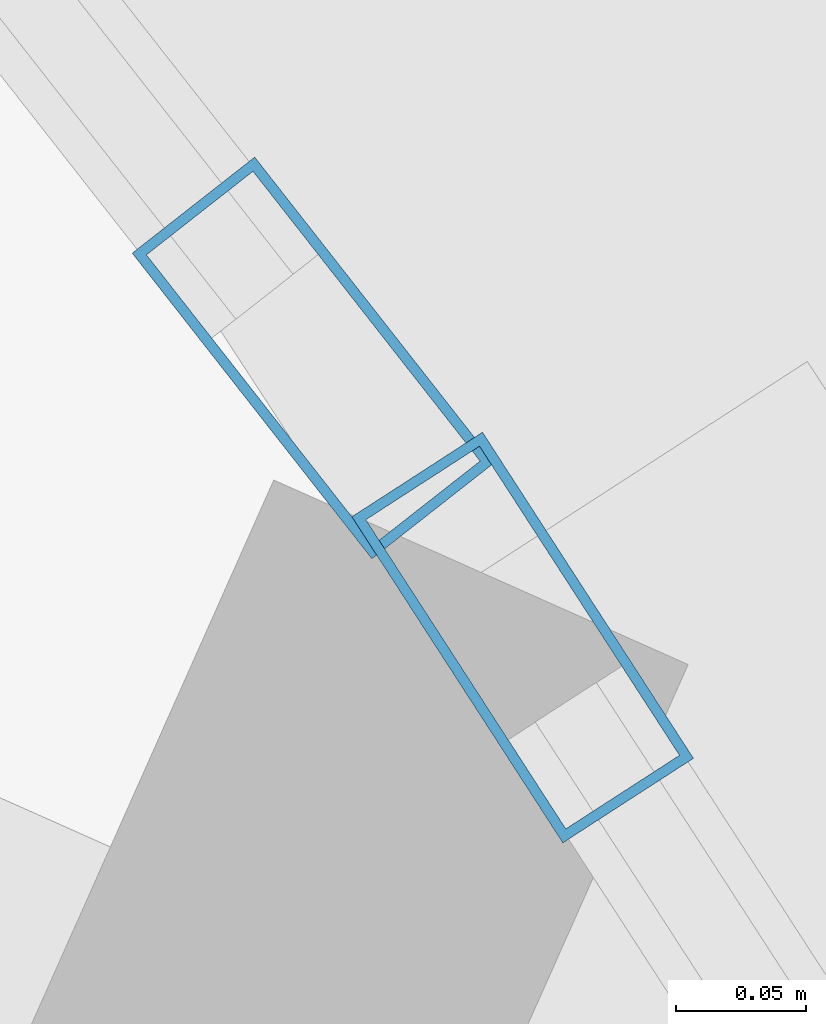
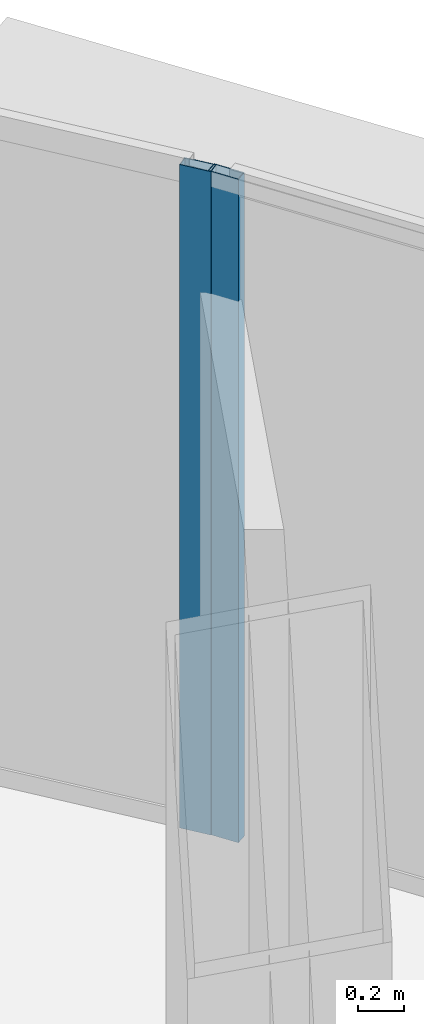
# One storey, part 22 of 40: 2 members, 2 elements without a shape of their own.
"""IFC4 building model written with IfcOpenShell, lengths in metres."""

from ifc_helpers import new_model, si_unit, direction, frame, origin, origin_2d, place, context, subcontext, project, spatial, hollow_rectangle, extrude, source, transform, mapped, material, layer, layer_set, material_profile, profile_set, type_object, element, aggregate, save


model = new_model("IFC4")

# Units and contexts
model_context = context("Model", 3, precision=1e-05, world=origin(), true_north=direction((0.0, 1.0)))
body_context = subcontext(model_context, "Body", "Model", "MODEL_VIEW")
ifc_project = project(units=[si_unit("LENGTHUNIT", "METRE"), si_unit("AREAUNIT", "SQUARE_METRE"), si_unit("VOLUMEUNIT", "CUBIC_METRE"), si_unit("PLANEANGLEUNIT", "RADIAN"), si_unit("MASSUNIT", "GRAM", prefix="KILO"), si_unit("THERMODYNAMICTEMPERATUREUNIT", "KELVIN"), si_unit("POWERUNIT", "WATT")], contexts=[model_context])

# Site, building, storey
site_placement = place(None, origin())
site = spatial("IfcSite", under=ifc_project, at=site_placement, CompositionType="ELEMENT")
building_placement = place(site_placement, origin())
building = spatial("IfcBuilding", under=site, at=building_placement, Name="Yunzhuo Pagoda Commons", CompositionType="ELEMENT")
storey_placement = place(building_placement, frame((0.0, 0.0, 184.760009765625)))
storey = spatial("IfcBuildingStorey", under=building, at=storey_placement, Name="L46", CompositionType="ELEMENT", Elevation=184.760009765625)

# Curtain wall, member
ifc_material = material(Name="Anodized aluminium 6063-T6", Category="aluminium")
ifc_layer = layer(ifc_material, 0.14990234375)
ifc_layer_set = layer_set([ifc_layer], Name="Anodized aluminium 6063-T6")
curtain_wall_type = type_object("IfcCurtainWallType", Name="CW-MID Mid-Zone Ribbon Curtain Wall", PredefinedType="NOTDEFINED", material=ifc_layer_set)
curtain_wall_1_placement = place(storey_placement, origin())
curtain_wall_1 = element("IfcCurtainWall", 1, at=curtain_wall_1_placement, inside=storey, type_object=curtain_wall_type, Name="L46 curtain wall CW-L46-F2B4", PredefinedType="NOTDEFINED")
ifc_material_profile = material_profile(ifc_material, hollow_rectangle(XDim=0.06005859375, YDim=0.14990234375, WallThickness=0.00390625, at=origin_2d()), Name="Anodized aluminium 6063-T6")
ifc_profile_set = profile_set([ifc_material_profile], Name="Anodized aluminium 6063-T6")
member_type = type_object("IfcMemberType", Name="CW-MID-M Mullion RHS 150x60x4", PredefinedType="MULLION", material=ifc_profile_set)
shared_shape = source(origin(), body_context, "Body", "SweptSolid", [
    extrude(hollow_rectangle(XDim=0.06005859375, YDim=0.14990234375, WallThickness=0.00390625, at=origin_2d()), origin(), (0.0, 0.0, 1.0), 3.5400390625),
])
member_1_placement = place(storey_placement, frame((63.715576171875, 68.93603515625, 0.0), z_axis=(0.0, 0.0, 1.0), x_axis=(-0.839626850374, -0.543163651335, 0.0)))
member_1 = element("IfcMember", 2, at=member_1_placement, type_object=member_type, Name="CW mullion 2", PredefinedType="MULLION", context=body_context, shape_type="MappedRepresentation", body=[
    mapped(shared_shape, transform((0.0, 0.0, 0.0), scale=1.0)),
])
aggregate(curtain_wall_1, [member_1])

curtain_wall_2_placement = place(storey_placement, origin())
curtain_wall_2 = element("IfcCurtainWall", 3, at=curtain_wall_2_placement, inside=storey, type_object=curtain_wall_type, Name="L46 curtain wall CW-L46-F2B5", PredefinedType="NOTDEFINED")
member_2_placement = place(storey_placement, frame((63.634765625, 69.0439453125, 0.0), z_axis=(0.0, 0.0, 1.0), x_axis=(-0.786950244655, -0.617016460427, 0.0)))
member_2 = element("IfcMember", 4, at=member_2_placement, type_object=member_type, Name="CW mullion 1", PredefinedType="MULLION", context=body_context, shape_type="MappedRepresentation", body=[
    mapped(shared_shape, transform((0.0, 0.0, 0.0), scale=1.0)),
])
aggregate(curtain_wall_2, [member_2])

save(model, "model.ifc")
